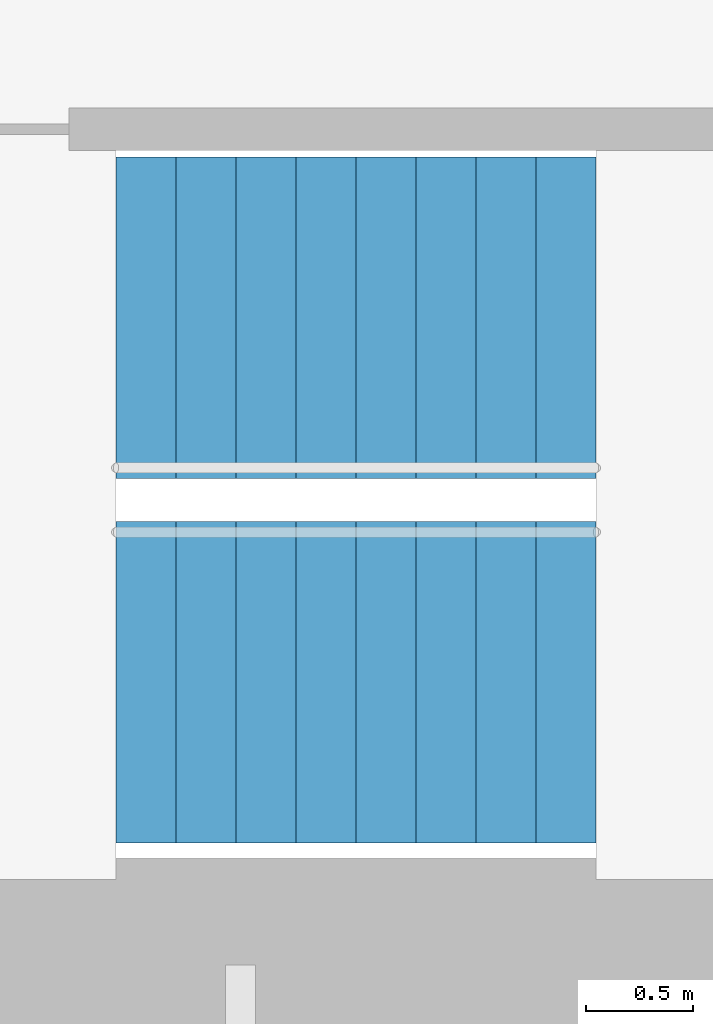
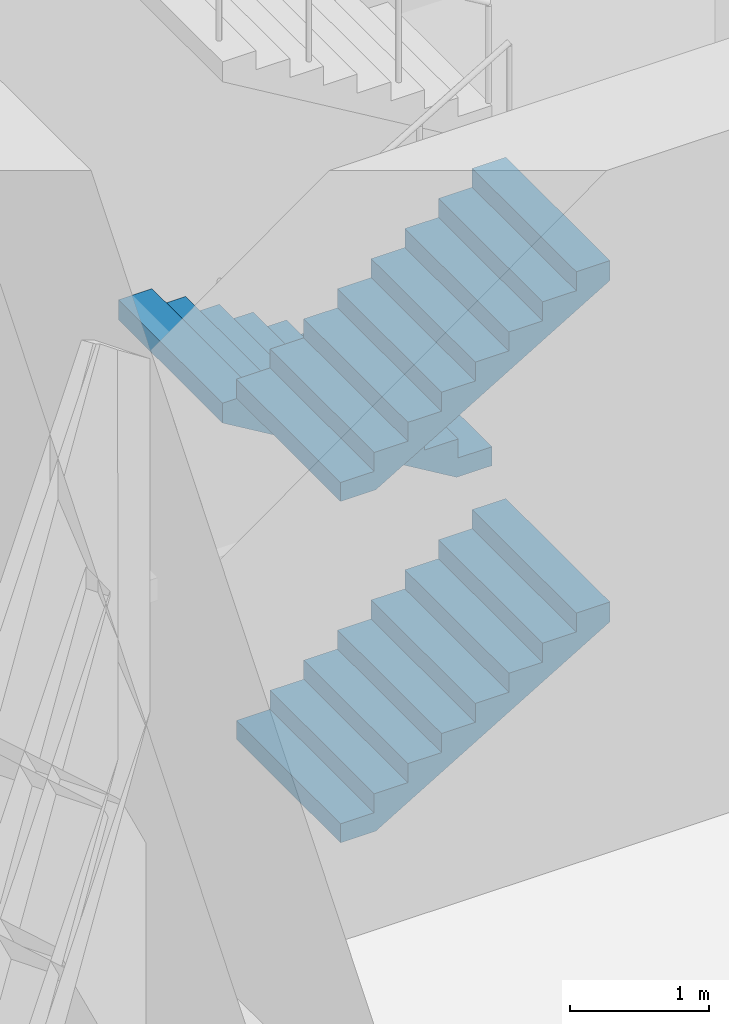
# One storey, part 18 of 21: 3 stair flights, 1 element without a shape of its own.
"""IFC4 building model written with IfcOpenShell, lengths in metres."""

import ifcopenshell
import ifcopenshell.guid

model = None  # the IFC model being written
_history = None  # IfcOwnerHistory: only IFC2X3 demands one
_inside = {}  # id of a spatial element -> (the spatial element, [elements in it])
_under = {}  # id of a project, library or spatial element -> (it, [spatial elements below it])
_declared = {}  # id of a project -> (the project, [libraries it declares])
_typed = {}  # id of a type object -> (the type object, [elements of that type])
_made_of = {}  # id of a material, layer set ... -> (it, [elements and type objects made of it])


def new_model(schema):
    """Start an empty IFC model of exactly this schema.

    Asked for "IFC4X3", IfcOpenShell would pick the latest addendum, in which some entities
    have other attributes; the version numbers below select the first issue.
    IFC2X3 requires an IfcOwnerHistory on every rooted entity: one is made here for all.
    """
    global model, _history
    if schema == "IFC4X3":
        model = ifcopenshell.file(schema_version=(4, 3, 0, 0))
    else:
        model = ifcopenshell.file(schema=schema)
    _inside.clear()
    _under.clear()
    _declared.clear()
    _typed.clear()
    _made_of.clear()
    _history = None
    if model.schema == "IFC2X3":
        org = make("IfcOrganization", Name="unknown")
        user = make(
            "IfcPersonAndOrganization",
            ThePerson=make("IfcPerson", FamilyName="unknown"),
            TheOrganization=org,
        )
        app = make(
            "IfcApplication",
            ApplicationDeveloper=org,
            Version="unknown",
            ApplicationFullName="unknown",
            ApplicationIdentifier="unknown",
        )
        _history = make(
            "IfcOwnerHistory",
            OwningUser=user,
            OwningApplication=app,
            ChangeAction="ADDED",
            CreationDate=0,
        )
    return model


def make(cls, **values):
    """One entity of the class cls with the attributes given. An attribute that is None is left unset."""
    return model.create_entity(
        cls, **{name: value for name, value in values.items() if value is not None}
    )


def rooted(cls, **values):
    """An entity with a GlobalId (a new one), such as an element, a storey or a relation."""
    return make(cls, GlobalId=ifcopenshell.guid.new(), OwnerHistory=_history, **values)


def si_unit(unit_type, name, prefix=None):
    """IfcSIUnit, for example si_unit("LENGTHUNIT", "METRE", prefix="MILLI")."""
    return make("IfcSIUnit", UnitType=unit_type, Prefix=prefix, Name=name)


def assignment(units):
    """IfcUnitAssignment: the units of a project."""
    return None if units is None else make("IfcUnitAssignment", Units=units)


def point(xyz):
    """IfcCartesianPoint."""
    return None if xyz is None else make("IfcCartesianPoint", Coordinates=xyz)


def direction(xyz):
    """IfcDirection."""
    return None if xyz is None else make("IfcDirection", DirectionRatios=xyz)


def frame(location, z_axis=None, x_axis=None):
    """IfcAxis2Placement3D, a coordinate frame: its origin and axes. An axis left out is left unset."""
    return make(
        "IfcAxis2Placement3D",
        Location=point(location),
        Axis=direction(z_axis),
        RefDirection=direction(x_axis),
    )


def origin():
    """The frame at (0, 0, 0) with its axes left unset."""
    return frame((0.0, 0.0, 0.0))


def place(relative_to, where):
    """IfcLocalPlacement: puts the frame where relative to a parent placement (None: the world)."""
    return make(
        "IfcLocalPlacement", PlacementRelTo=relative_to, RelativePlacement=where
    )


def context(
    kind, dimensions, precision=None, world=None, true_north=None, identifier=None
):
    """IfcGeometricRepresentationContext, for example the 3D "Model" context."""
    return make(
        "IfcGeometricRepresentationContext",
        ContextIdentifier=identifier,
        ContextType=kind,
        CoordinateSpaceDimension=dimensions,
        Precision=precision,
        WorldCoordinateSystem=world,
        TrueNorth=true_north,
    )


def subcontext(parent, identifier, kind, view, scale=None):
    """IfcGeometricRepresentationSubContext, for example "Body" below "Model"."""
    return make(
        "IfcGeometricRepresentationSubContext",
        ContextIdentifier=identifier,
        ContextType=kind,
        ParentContext=parent,
        TargetScale=scale,
        TargetView=view,
    )


def project(units=None, contexts=None):
    """IfcProject with its units and contexts."""
    return rooted(
        "IfcProject",
        Name="project",
        RepresentationContexts=contexts,
        UnitsInContext=assignment(units),
    )


def spatial(cls, under=None, at=None, **own):
    """A site, building, storey or space (cls), placed at a placement, below another one or the project."""
    s = rooted(cls, ObjectPlacement=at, **own)
    if under is not None:
        _under.setdefault(under.id(), (under, []))[1].append(s)
    return s


def point_list(points):
    """IfcCartesianPointList2D or 3D."""
    cls = (
        "IfcCartesianPointList2D" if len(points[0]) == 2 else "IfcCartesianPointList3D"
    )
    return make(cls, CoordList=points)


def triangles(points, corners, closed=None, point_numbers=None):
    """IfcTriangulatedFaceSet: each triangle names its three corners, points numbered from 1."""
    return make(
        "IfcTriangulatedFaceSet",
        Coordinates=point_list(points),
        Closed=closed,
        CoordIndex=corners,
        PnIndex=point_numbers,
    )


def shape(context_of_items, identifier, shape_type, items):
    """IfcShapeRepresentation: the items that make up one representation, for example the "Body"."""
    return make(
        "IfcShapeRepresentation",
        ContextOfItems=context_of_items,
        RepresentationIdentifier=identifier,
        RepresentationType=shape_type,
        Items=items,
    )


def material(Name=None, Category=None):
    """IfcMaterial."""
    return make("IfcMaterial", Name=Name, Category=Category)


def made_of(thing, what):
    """Note that an element or type object is made of a material, layer set ...; save() writes the relation."""
    if what is not None:
        _made_of.setdefault(what.id(), (what, []))[1].append(thing)
    return thing


def type_object(cls, material=None, **own):
    """A type object (cls), such as IfcWallType, which elements share."""
    return made_of(rooted(cls, **own), material)


def element(
    cls,
    number,
    at=None,
    inside=None,
    cuts=None,
    type_object=None,
    material=None,
    context=None,
    identifier="Body",
    shape_type=None,
    held_by="IfcProductDefinitionShape",
    body=None,
    shapes=None,
    **own,
):
    """One element of the class cls, such as IfcWall. Its Tag is "e" and its number.

    at: its placement. inside: the storey or other place that contains it. cuts: it is an
    opening in that element (IfcRelVoidsElement). A single representation is given by context,
    identifier, shape_type and body (its items); several are given by shapes. held_by: the class
    of the entity that holds the representations. save() writes the other relations.
    """
    e = rooted(cls, Tag="e%d" % number, ObjectPlacement=at, **own)
    if body is not None:
        shapes = [shape(context, identifier, shape_type, body)]
    if shapes is not None:
        e.Representation = make(held_by, Representations=shapes)
    if inside is not None:
        _inside.setdefault(inside.id(), (inside, []))[1].append(e)
    if cuts is not None:
        rooted(
            "IfcRelVoidsElement", RelatingBuildingElement=cuts, RelatedOpeningElement=e
        )
    if type_object is not None:
        _typed.setdefault(type_object.id(), (type_object, []))[1].append(e)
    return made_of(e, material)


def aggregate(whole, parts):
    """IfcRelAggregates: a whole, such as a stair, and the parts it consists of."""
    return rooted("IfcRelAggregates", RelatingObject=whole, RelatedObjects=parts)


def save(model, path):
    """Write the relations noted so far, then the file.

    IfcRelAggregates (storeys below a building ...), IfcRelContainedInSpatialStructure (elements
    in a storey), IfcRelDefinesByType, IfcRelAssociatesMaterial and IfcRelDeclares: one each for
    every whole, place, type object, material and project.
    """
    for whole, parts in _under.values():
        aggregate(whole, parts)
    for where, things in _inside.values():
        rooted(
            "IfcRelContainedInSpatialStructure",
            RelatedElements=things,
            RelatingStructure=where,
        )
    for kind, things in _typed.values():
        rooted("IfcRelDefinesByType", RelatedObjects=things, RelatingType=kind)
    for what, things in _made_of.values():
        rooted("IfcRelAssociatesMaterial", RelatedObjects=things, RelatingMaterial=what)
    for by, libraries in _declared.values():
        rooted("IfcRelDeclares", RelatingContext=by, RelatedDefinitions=libraries)
    model.write(path)


model = new_model("IFC4")

# Units and contexts
model_context = context("Model", 3, precision=1e-05, world=origin(), true_north=direction((0.0, 1.0)))
body_context = subcontext(model_context, "Body", "Model", "MODEL_VIEW")
ifc_project = project(units=[si_unit("LENGTHUNIT", "METRE"), si_unit("AREAUNIT", "SQUARE_METRE"), si_unit("VOLUMEUNIT", "CUBIC_METRE"), si_unit("PLANEANGLEUNIT", "RADIAN"), si_unit("MASSUNIT", "GRAM", prefix="KILO")], contexts=[model_context])

# Site, building, storey
site_placement = place(None, origin())
site = spatial("IfcSite", under=ifc_project, at=site_placement, CompositionType="ELEMENT")
building_placement = place(site_placement, origin())
building = spatial("IfcBuilding", under=site, at=building_placement, Name="Lantaw Convention Tower", CompositionType="ELEMENT")
storey_placement = place(building_placement, frame((0.0, 0.0, 284.39990234375)))
storey = spatial("IfcBuildingStorey", under=building, at=storey_placement, Name="L66", CompositionType="ELEMENT", Elevation=284.39990234375)

# Stair, stair flights
ifc_material = material(Name="Concrete C35/45", Category="concrete")
stair_type = type_object("IfcStairType", Name="Exit stair 1500 riser 166.67 in 4 flights", PredefinedType="HALF_TURN_STAIR", material=ifc_material)
stair_placement = place(storey_placement, origin())
stair = element("IfcStair", 1, at=stair_placement, inside=storey, type_object=stair_type, Name="Exit stair S1 L66", PredefinedType="HALF_TURN_STAIR")
stair_flight_type = type_object("IfcStairFlightType", Name="Stair flight 1500 riser 166.67", PredefinedType="STRAIGHT", material=ifc_material)
stair_flight_1_placement = place(storey_placement, frame((-10.580078125, -5.97998046875, 0.0), z_axis=(0.0, 0.0, 1.0), x_axis=(1.0, 0.0, 0.0)))
stair_flight_1 = element("IfcStairFlight", 2, at=stair_flight_1_placement, type_object=stair_flight_type, Name="S1 flight 1", NumberOfRisers=9, NumberOfTreads=8, PredefinedType="STRAIGHT", RiserHeight=0.166666667, TreadLength=0.28, context=body_context, shape_type="Tessellation", body=[
    triangles([(0.0, 0.75, 0.0), (0.0, 0.75, 0.166666667), (0.28, 0.75, 0.0), (0.28, 0.75, 0.166666667), (0.28, 0.75, 0.333333334), (0.2930734580690677, 0.75, 0.0), (0.2930734580690677, 0.75, 0.333333334), (0.56, 0.75, 0.1588848467052294), (0.56, 0.75, 0.333333334), (0.56, 0.75, 0.500000001), (0.8400000000000001, 0.75, 0.32555151370522933), (0.8400000000000001, 0.75, 0.500000001), (0.8400000000000001, 0.75, 0.666666668), (1.12, 0.75, 0.4922181807052293), (1.12, 0.75, 0.666666668), (1.12, 0.75, 0.833333335), (1.4000000000000001, 0.75, 0.6588848477052293), (1.4000000000000001, 0.75, 0.833333335), (1.4000000000000001, 0.75, 1.000000002), (1.6800000000000002, 0.75, 0.8255515147052293), (1.6800000000000002, 0.75, 1.000000002), (1.6800000000000002, 0.75, 1.166666669), (1.9600000000000002, 0.75, 0.9922181817052292), (1.9600000000000002, 0.75, 1.166666669), (1.9600000000000002, 0.75, 1.333333336), (2.24, 0.75, 1.1588848487052292), (2.24, 0.75, 1.333333336), (0.0, -0.75, 0.0), (0.0, -0.75, 0.166666667), (0.28, -0.75, 0.0), (0.28, -0.75, 0.166666667), (0.28, -0.75, 0.333333334), (0.2930734580690677, -0.75, 0.0), (0.2930734580690677, -0.75, 0.333333334), (0.56, -0.75, 0.1588848467052294), (0.56, -0.75, 0.333333334), (0.56, -0.75, 0.500000001), (0.8400000000000001, -0.75, 0.32555151370522933), (0.8400000000000001, -0.75, 0.500000001), (0.8400000000000001, -0.75, 0.666666668), (1.12, -0.75, 0.4922181807052293), (1.12, -0.75, 0.666666668), (1.12, -0.75, 0.833333335), (1.4000000000000001, -0.75, 0.6588848477052293), (1.4000000000000001, -0.75, 0.833333335), (1.4000000000000001, -0.75, 1.000000002), (1.6800000000000002, -0.75, 0.8255515147052293), (1.6800000000000002, -0.75, 1.000000002), (1.6800000000000002, -0.75, 1.166666669), (1.9600000000000002, -0.75, 0.9922181817052292), (1.9600000000000002, -0.75, 1.166666669), (1.9600000000000002, -0.75, 1.333333336), (2.24, -0.75, 1.1588848487052292), (2.24, -0.75, 1.333333336), (0.0, 0.15000000000000002, 0.166666667), (0.0, 0.15000000000000002, 0.0), (0.0, 0.0, 0.166666667), (0.0, 0.0, 0.0), (0.0, -0.15000000000000002, 0.166666667), (0.0, -0.15000000000000002, 0.0), (0.28, 0.15000000000000002, 0.333333334), (0.28, 0.15000000000000002, 0.166666667), (0.28, 0.0, 0.333333334), (0.28, 0.0, 0.166666667), (0.28, -0.15000000000000002, 0.333333334), (0.28, -0.15000000000000002, 0.166666667), (0.56, 0.15000000000000002, 0.500000001), (0.56, 0.15000000000000002, 0.333333334), (0.56, 0.0, 0.500000001), (0.56, 0.0, 0.333333334), (0.56, -0.15000000000000002, 0.500000001), (0.56, -0.15000000000000002, 0.333333334), (0.8400000000000001, 0.15000000000000002, 0.666666668), (0.8400000000000001, 0.15000000000000002, 0.500000001), (0.8400000000000001, 0.0, 0.666666668), (0.8400000000000001, 0.0, 0.500000001), (0.8400000000000001, -0.15000000000000002, 0.666666668), (0.8400000000000001, -0.15000000000000002, 0.500000001), (1.12, 0.15000000000000002, 0.833333335), (1.12, 0.15000000000000002, 0.666666668), (1.12, 0.0, 0.833333335), (1.12, 0.0, 0.666666668), (1.12, -0.15000000000000002, 0.833333335), (1.12, -0.15000000000000002, 0.666666668), (1.4000000000000001, 0.15000000000000002, 1.000000002), (1.4000000000000001, 0.15000000000000002, 0.833333335), (1.4000000000000001, 0.0, 1.000000002), (1.4000000000000001, 0.0, 0.833333335), (1.4000000000000001, -0.15000000000000002, 1.000000002), (1.4000000000000001, -0.15000000000000002, 0.833333335), (1.6800000000000002, 0.15000000000000002, 1.166666669), (1.6800000000000002, 0.15000000000000002, 1.000000002), (1.6800000000000002, 0.0, 1.166666669), (1.6800000000000002, 0.0, 1.000000002), (1.6800000000000002, -0.15000000000000002, 1.166666669), (1.6800000000000002, -0.15000000000000002, 1.000000002), (1.9600000000000002, 0.15000000000000002, 1.333333336), (1.9600000000000002, 0.15000000000000002, 1.166666669), (1.9600000000000002, 0.0, 1.333333336), (1.9600000000000002, 0.0, 1.166666669), (1.9600000000000002, -0.15000000000000002, 1.333333336), (1.9600000000000002, -0.15000000000000002, 1.166666669), (0.2930734580690677, 0.15000000000000002, 0.333333334), (0.2930734580690677, 0.0, 0.333333334), (0.2930734580690677, -0.15000000000000002, 0.333333334), (2.24, 0.15000000000000002, 1.333333336), (2.24, 0.0, 1.333333336), (2.24, -0.15000000000000002, 1.333333336), (2.24, 0.15000000000000002, 1.1588848487052292), (2.24, 0.0, 1.1588848487052292), (2.24, -0.15000000000000002, 1.1588848487052292), (1.9600000000000002, 0.15000000000000002, 0.9922181817052292), (1.9600000000000002, 0.0, 0.9922181817052292), (1.9600000000000002, -0.15000000000000002, 0.9922181817052292), (1.6800000000000002, 0.15000000000000002, 0.8255515147052293), (1.6800000000000002, 0.0, 0.8255515147052293), (1.6800000000000002, -0.15000000000000002, 0.8255515147052293), (1.4000000000000001, 0.15000000000000002, 0.6588848477052293), (1.4000000000000001, 0.0, 0.6588848477052293), (1.4000000000000001, -0.15000000000000002, 0.6588848477052293), (1.12, 0.15000000000000002, 0.4922181807052293), (1.12, 0.0, 0.4922181807052293), (1.12, -0.15000000000000002, 0.4922181807052293), (0.8400000000000001, 0.15000000000000002, 0.32555151370522933), (0.8400000000000001, 0.0, 0.32555151370522933), (0.8400000000000001, -0.15000000000000002, 0.32555151370522933), (0.56, 0.15000000000000002, 0.1588848467052294), (0.56, 0.0, 0.1588848467052294), (0.56, -0.15000000000000002, 0.1588848467052294), (0.2930734580690677, 0.15000000000000002, 0.0), (0.2930734580690677, 0.0, 0.0), (0.2930734580690677, -0.15000000000000002, 0.0), (0.28, 0.15000000000000002, 0.0), (0.28, 0.0, 0.0), (0.28, -0.15000000000000002, 0.0)], [[1, 4, 3], [1, 2, 4], [3, 4, 6], [4, 7, 6], [4, 5, 7], [6, 9, 8], [6, 7, 9], [8, 9, 11], [9, 12, 11], [9, 10, 12], [11, 12, 14], [12, 15, 14], [12, 13, 15], [14, 15, 17], [15, 18, 17], [15, 16, 18], [17, 18, 20], [18, 21, 20], [18, 19, 21], [20, 21, 23], [21, 24, 23], [21, 22, 24], [23, 24, 26], [24, 27, 26], [24, 25, 27], [28, 30, 31], [28, 31, 29], [30, 33, 31], [31, 33, 34], [31, 34, 32], [33, 35, 36], [33, 36, 34], [35, 38, 36], [36, 38, 39], [36, 39, 37], [38, 41, 39], [39, 41, 42], [39, 42, 40], [41, 44, 42], [42, 44, 45], [42, 45, 43], [44, 47, 45], [45, 47, 48], [45, 48, 46], [47, 50, 48], [48, 50, 51], [48, 51, 49], [50, 53, 51], [51, 53, 54], [51, 54, 52], [1, 55, 2], [1, 56, 55], [56, 57, 55], [56, 58, 57], [58, 59, 57], [58, 60, 59], [60, 29, 59], [60, 28, 29], [4, 61, 5], [4, 62, 61], [62, 63, 61], [62, 64, 63], [64, 65, 63], [64, 66, 65], [66, 32, 65], [66, 31, 32], [9, 67, 10], [9, 68, 67], [68, 69, 67], [68, 70, 69], [70, 71, 69], [70, 72, 71], [72, 37, 71], [72, 36, 37], [12, 73, 13], [12, 74, 73], [74, 75, 73], [74, 76, 75], [76, 77, 75], [76, 78, 77], [78, 40, 77], [78, 39, 40], [15, 79, 16], [15, 80, 79], [80, 81, 79], [80, 82, 81], [82, 83, 81], [82, 84, 83], [84, 43, 83], [84, 42, 43], [18, 85, 19], [18, 86, 85], [86, 87, 85], [86, 88, 87], [88, 89, 87], [88, 90, 89], [90, 46, 89], [90, 45, 46], [21, 91, 22], [21, 92, 91], [92, 93, 91], [92, 94, 93], [94, 95, 93], [94, 96, 95], [96, 49, 95], [96, 48, 49], [24, 97, 25], [24, 98, 97], [98, 99, 97], [98, 100, 99], [100, 101, 99], [100, 102, 101], [102, 52, 101], [102, 51, 52], [2, 62, 4], [2, 55, 62], [55, 64, 62], [55, 57, 64], [57, 66, 64], [57, 59, 66], [59, 31, 66], [59, 29, 31], [5, 103, 7], [5, 61, 103], [61, 104, 103], [61, 63, 104], [63, 105, 104], [63, 65, 105], [65, 34, 105], [65, 32, 34], [7, 68, 9], [7, 103, 68], [103, 70, 68], [103, 104, 70], [104, 72, 70], [104, 105, 72], [105, 36, 72], [105, 34, 36], [10, 74, 12], [10, 67, 74], [67, 76, 74], [67, 69, 76], [69, 78, 76], [69, 71, 78], [71, 39, 78], [71, 37, 39], [13, 80, 15], [13, 73, 80], [73, 82, 80], [73, 75, 82], [75, 84, 82], [75, 77, 84], [77, 42, 84], [77, 40, 42], [16, 86, 18], [16, 79, 86], [79, 88, 86], [79, 81, 88], [81, 90, 88], [81, 83, 90], [83, 45, 90], [83, 43, 45], [19, 92, 21], [19, 85, 92], [85, 94, 92], [85, 87, 94], [87, 96, 94], [87, 89, 96], [89, 48, 96], [89, 46, 48], [22, 98, 24], [22, 91, 98], [91, 100, 98], [91, 93, 100], [93, 102, 100], [93, 95, 102], [95, 51, 102], [95, 49, 51], [25, 106, 27], [25, 97, 106], [97, 107, 106], [97, 99, 107], [99, 108, 107], [99, 101, 108], [101, 54, 108], [101, 52, 54], [27, 109, 26], [27, 106, 109], [106, 110, 109], [106, 107, 110], [107, 111, 110], [107, 108, 111], [108, 53, 111], [108, 54, 53], [26, 112, 23], [26, 109, 112], [109, 113, 112], [109, 110, 113], [110, 114, 113], [110, 111, 114], [111, 50, 114], [111, 53, 50], [23, 115, 20], [23, 112, 115], [112, 116, 115], [112, 113, 116], [113, 117, 116], [113, 114, 117], [114, 47, 117], [114, 50, 47], [20, 118, 17], [20, 115, 118], [115, 119, 118], [115, 116, 119], [116, 120, 119], [116, 117, 120], [117, 44, 120], [117, 47, 44], [17, 121, 14], [17, 118, 121], [118, 122, 121], [118, 119, 122], [119, 123, 122], [119, 120, 123], [120, 41, 123], [120, 44, 41], [14, 124, 11], [14, 121, 124], [121, 125, 124], [121, 122, 125], [122, 126, 125], [122, 123, 126], [123, 38, 126], [123, 41, 38], [11, 127, 8], [11, 124, 127], [124, 128, 127], [124, 125, 128], [125, 129, 128], [125, 126, 129], [126, 35, 129], [126, 38, 35], [8, 130, 6], [8, 127, 130], [127, 131, 130], [127, 128, 131], [128, 132, 131], [128, 129, 132], [129, 33, 132], [129, 35, 33], [6, 133, 3], [6, 130, 133], [130, 134, 133], [130, 131, 134], [131, 135, 134], [131, 132, 135], [132, 30, 135], [132, 33, 30], [3, 56, 1], [3, 133, 56], [133, 58, 56], [133, 134, 58], [134, 60, 58], [134, 135, 60], [135, 28, 60], [135, 30, 28]], closed=True),
])
stair_flight_2_placement = place(storey_placement, frame((-8.340087890625, -4.280029296875, 1.5), z_axis=(0.0, 0.0, 1.0), x_axis=(-1.0, 0.0, 0.0)))
stair_flight_2 = element("IfcStairFlight", 3, at=stair_flight_2_placement, type_object=stair_flight_type, Name="S1 flight 2", NumberOfRisers=9, NumberOfTreads=8, PredefinedType="STRAIGHT", RiserHeight=0.166666667, TreadLength=0.28, context=body_context, shape_type="Tessellation", body=[
    triangles([(0.0, 0.75, 0.0), (0.0, 0.75, 0.166666667), (0.28, 0.75, 0.0), (0.28, 0.75, 0.166666667), (0.28, 0.75, 0.333333334), (0.2930734580690677, 0.75, 0.0), (0.2930734580690677, 0.75, 0.333333334), (0.56, 0.75, 0.1588848467052294), (0.56, 0.75, 0.333333334), (0.56, 0.75, 0.500000001), (0.8400000000000001, 0.75, 0.32555151370522933), (0.8400000000000001, 0.75, 0.500000001), (0.8400000000000001, 0.75, 0.666666668), (1.12, 0.75, 0.4922181807052293), (1.12, 0.75, 0.666666668), (1.12, 0.75, 0.833333335), (1.4000000000000001, 0.75, 0.6588848477052293), (1.4000000000000001, 0.75, 0.833333335), (1.4000000000000001, 0.75, 1.000000002), (1.6800000000000002, 0.75, 0.8255515147052293), (1.6800000000000002, 0.75, 1.000000002), (1.6800000000000002, 0.75, 1.166666669), (1.9600000000000002, 0.75, 0.9922181817052292), (1.9600000000000002, 0.75, 1.166666669), (1.9600000000000002, 0.75, 1.333333336), (2.24, 0.75, 1.1588848487052292), (2.24, 0.75, 1.333333336), (0.0, -0.75, 0.0), (0.0, -0.75, 0.166666667), (0.28, -0.75, 0.0), (0.28, -0.75, 0.166666667), (0.28, -0.75, 0.333333334), (0.2930734580690677, -0.75, 0.0), (0.2930734580690677, -0.75, 0.333333334), (0.56, -0.75, 0.1588848467052294), (0.56, -0.75, 0.333333334), (0.56, -0.75, 0.500000001), (0.8400000000000001, -0.75, 0.32555151370522933), (0.8400000000000001, -0.75, 0.500000001), (0.8400000000000001, -0.75, 0.666666668), (1.12, -0.75, 0.4922181807052293), (1.12, -0.75, 0.666666668), (1.12, -0.75, 0.833333335), (1.4000000000000001, -0.75, 0.6588848477052293), (1.4000000000000001, -0.75, 0.833333335), (1.4000000000000001, -0.75, 1.000000002), (1.6800000000000002, -0.75, 0.8255515147052293), (1.6800000000000002, -0.75, 1.000000002), (1.6800000000000002, -0.75, 1.166666669), (1.9600000000000002, -0.75, 0.9922181817052292), (1.9600000000000002, -0.75, 1.166666669), (1.9600000000000002, -0.75, 1.333333336), (2.24, -0.75, 1.1588848487052292), (2.24, -0.75, 1.333333336), (0.0, 0.15000000000000002, 0.166666667), (0.0, 0.15000000000000002, 0.0), (0.0, 0.0, 0.166666667), (0.0, 0.0, 0.0), (0.0, -0.15000000000000002, 0.166666667), (0.0, -0.15000000000000002, 0.0), (0.28, 0.15000000000000002, 0.333333334), (0.28, 0.15000000000000002, 0.166666667), (0.28, 0.0, 0.333333334), (0.28, 0.0, 0.166666667), (0.28, -0.15000000000000002, 0.333333334), (0.28, -0.15000000000000002, 0.166666667), (0.56, 0.15000000000000002, 0.500000001), (0.56, 0.15000000000000002, 0.333333334), (0.56, 0.0, 0.500000001), (0.56, 0.0, 0.333333334), (0.56, -0.15000000000000002, 0.500000001), (0.56, -0.15000000000000002, 0.333333334), (0.8400000000000001, 0.15000000000000002, 0.666666668), (0.8400000000000001, 0.15000000000000002, 0.500000001), (0.8400000000000001, 0.0, 0.666666668), (0.8400000000000001, 0.0, 0.500000001), (0.8400000000000001, -0.15000000000000002, 0.666666668), (0.8400000000000001, -0.15000000000000002, 0.500000001), (1.12, 0.15000000000000002, 0.833333335), (1.12, 0.15000000000000002, 0.666666668), (1.12, 0.0, 0.833333335), (1.12, 0.0, 0.666666668), (1.12, -0.15000000000000002, 0.833333335), (1.12, -0.15000000000000002, 0.666666668), (1.4000000000000001, 0.15000000000000002, 1.000000002), (1.4000000000000001, 0.15000000000000002, 0.833333335), (1.4000000000000001, 0.0, 1.000000002), (1.4000000000000001, 0.0, 0.833333335), (1.4000000000000001, -0.15000000000000002, 1.000000002), (1.4000000000000001, -0.15000000000000002, 0.833333335), (1.6800000000000002, 0.15000000000000002, 1.166666669), (1.6800000000000002, 0.15000000000000002, 1.000000002), (1.6800000000000002, 0.0, 1.166666669), (1.6800000000000002, 0.0, 1.000000002), (1.6800000000000002, -0.15000000000000002, 1.166666669), (1.6800000000000002, -0.15000000000000002, 1.000000002), (1.9600000000000002, 0.15000000000000002, 1.333333336), (1.9600000000000002, 0.15000000000000002, 1.166666669), (1.9600000000000002, 0.0, 1.333333336), (1.9600000000000002, 0.0, 1.166666669), (1.9600000000000002, -0.15000000000000002, 1.333333336), (1.9600000000000002, -0.15000000000000002, 1.166666669), (0.2930734580690677, 0.15000000000000002, 0.333333334), (0.2930734580690677, 0.0, 0.333333334), (0.2930734580690677, -0.15000000000000002, 0.333333334), (2.24, 0.15000000000000002, 1.333333336), (2.24, 0.0, 1.333333336), (2.24, -0.15000000000000002, 1.333333336), (2.24, 0.15000000000000002, 1.1588848487052292), (2.24, 0.0, 1.1588848487052292), (2.24, -0.15000000000000002, 1.1588848487052292), (1.9600000000000002, 0.15000000000000002, 0.9922181817052292), (1.9600000000000002, 0.0, 0.9922181817052292), (1.9600000000000002, -0.15000000000000002, 0.9922181817052292), (1.6800000000000002, 0.15000000000000002, 0.8255515147052293), (1.6800000000000002, 0.0, 0.8255515147052293), (1.6800000000000002, -0.15000000000000002, 0.8255515147052293), (1.4000000000000001, 0.15000000000000002, 0.6588848477052293), (1.4000000000000001, 0.0, 0.6588848477052293), (1.4000000000000001, -0.15000000000000002, 0.6588848477052293), (1.12, 0.15000000000000002, 0.4922181807052293), (1.12, 0.0, 0.4922181807052293), (1.12, -0.15000000000000002, 0.4922181807052293), (0.8400000000000001, 0.15000000000000002, 0.32555151370522933), (0.8400000000000001, 0.0, 0.32555151370522933), (0.8400000000000001, -0.15000000000000002, 0.32555151370522933), (0.56, 0.15000000000000002, 0.1588848467052294), (0.56, 0.0, 0.1588848467052294), (0.56, -0.15000000000000002, 0.1588848467052294), (0.2930734580690677, 0.15000000000000002, 0.0), (0.2930734580690677, 0.0, 0.0), (0.2930734580690677, -0.15000000000000002, 0.0), (0.28, 0.15000000000000002, 0.0), (0.28, 0.0, 0.0), (0.28, -0.15000000000000002, 0.0)], [[1, 4, 3], [1, 2, 4], [3, 4, 6], [4, 7, 6], [4, 5, 7], [6, 9, 8], [6, 7, 9], [8, 9, 11], [9, 12, 11], [9, 10, 12], [11, 12, 14], [12, 15, 14], [12, 13, 15], [14, 15, 17], [15, 18, 17], [15, 16, 18], [17, 18, 20], [18, 21, 20], [18, 19, 21], [20, 21, 23], [21, 24, 23], [21, 22, 24], [23, 24, 26], [24, 27, 26], [24, 25, 27], [28, 30, 31], [28, 31, 29], [30, 33, 31], [31, 33, 34], [31, 34, 32], [33, 35, 36], [33, 36, 34], [35, 38, 36], [36, 38, 39], [36, 39, 37], [38, 41, 39], [39, 41, 42], [39, 42, 40], [41, 44, 42], [42, 44, 45], [42, 45, 43], [44, 47, 45], [45, 47, 48], [45, 48, 46], [47, 50, 48], [48, 50, 51], [48, 51, 49], [50, 53, 51], [51, 53, 54], [51, 54, 52], [1, 55, 2], [1, 56, 55], [56, 57, 55], [56, 58, 57], [58, 59, 57], [58, 60, 59], [60, 29, 59], [60, 28, 29], [4, 61, 5], [4, 62, 61], [62, 63, 61], [62, 64, 63], [64, 65, 63], [64, 66, 65], [66, 32, 65], [66, 31, 32], [9, 67, 10], [9, 68, 67], [68, 69, 67], [68, 70, 69], [70, 71, 69], [70, 72, 71], [72, 37, 71], [72, 36, 37], [12, 73, 13], [12, 74, 73], [74, 75, 73], [74, 76, 75], [76, 77, 75], [76, 78, 77], [78, 40, 77], [78, 39, 40], [15, 79, 16], [15, 80, 79], [80, 81, 79], [80, 82, 81], [82, 83, 81], [82, 84, 83], [84, 43, 83], [84, 42, 43], [18, 85, 19], [18, 86, 85], [86, 87, 85], [86, 88, 87], [88, 89, 87], [88, 90, 89], [90, 46, 89], [90, 45, 46], [21, 91, 22], [21, 92, 91], [92, 93, 91], [92, 94, 93], [94, 95, 93], [94, 96, 95], [96, 49, 95], [96, 48, 49], [24, 97, 25], [24, 98, 97], [98, 99, 97], [98, 100, 99], [100, 101, 99], [100, 102, 101], [102, 52, 101], [102, 51, 52], [2, 62, 4], [2, 55, 62], [55, 64, 62], [55, 57, 64], [57, 66, 64], [57, 59, 66], [59, 31, 66], [59, 29, 31], [5, 103, 7], [5, 61, 103], [61, 104, 103], [61, 63, 104], [63, 105, 104], [63, 65, 105], [65, 34, 105], [65, 32, 34], [7, 68, 9], [7, 103, 68], [103, 70, 68], [103, 104, 70], [104, 72, 70], [104, 105, 72], [105, 36, 72], [105, 34, 36], [10, 74, 12], [10, 67, 74], [67, 76, 74], [67, 69, 76], [69, 78, 76], [69, 71, 78], [71, 39, 78], [71, 37, 39], [13, 80, 15], [13, 73, 80], [73, 82, 80], [73, 75, 82], [75, 84, 82], [75, 77, 84], [77, 42, 84], [77, 40, 42], [16, 86, 18], [16, 79, 86], [79, 88, 86], [79, 81, 88], [81, 90, 88], [81, 83, 90], [83, 45, 90], [83, 43, 45], [19, 92, 21], [19, 85, 92], [85, 94, 92], [85, 87, 94], [87, 96, 94], [87, 89, 96], [89, 48, 96], [89, 46, 48], [22, 98, 24], [22, 91, 98], [91, 100, 98], [91, 93, 100], [93, 102, 100], [93, 95, 102], [95, 51, 102], [95, 49, 51], [25, 106, 27], [25, 97, 106], [97, 107, 106], [97, 99, 107], [99, 108, 107], [99, 101, 108], [101, 54, 108], [101, 52, 54], [27, 109, 26], [27, 106, 109], [106, 110, 109], [106, 107, 110], [107, 111, 110], [107, 108, 111], [108, 53, 111], [108, 54, 53], [26, 112, 23], [26, 109, 112], [109, 113, 112], [109, 110, 113], [110, 114, 113], [110, 111, 114], [111, 50, 114], [111, 53, 50], [23, 115, 20], [23, 112, 115], [112, 116, 115], [112, 113, 116], [113, 117, 116], [113, 114, 117], [114, 47, 117], [114, 50, 47], [20, 118, 17], [20, 115, 118], [115, 119, 118], [115, 116, 119], [116, 120, 119], [116, 117, 120], [117, 44, 120], [117, 47, 44], [17, 121, 14], [17, 118, 121], [118, 122, 121], [118, 119, 122], [119, 123, 122], [119, 120, 123], [120, 41, 123], [120, 44, 41], [14, 124, 11], [14, 121, 124], [121, 125, 124], [121, 122, 125], [122, 126, 125], [122, 123, 126], [123, 38, 126], [123, 41, 38], [11, 127, 8], [11, 124, 127], [124, 128, 127], [124, 125, 128], [125, 129, 128], [125, 126, 129], [126, 35, 129], [126, 38, 35], [8, 130, 6], [8, 127, 130], [127, 131, 130], [127, 128, 131], [128, 132, 131], [128, 129, 132], [129, 33, 132], [129, 35, 33], [6, 133, 3], [6, 130, 133], [130, 134, 133], [130, 131, 134], [131, 135, 134], [131, 132, 135], [132, 30, 135], [132, 33, 30], [3, 56, 1], [3, 133, 56], [133, 58, 56], [133, 134, 58], [134, 60, 58], [134, 135, 60], [135, 28, 60], [135, 30, 28]], closed=True),
])
stair_flight_3_placement = place(storey_placement, frame((-10.580078125, -5.97998046875, 3.0), z_axis=(0.0, 0.0, 1.0), x_axis=(1.0, 0.0, 0.0)))
stair_flight_3 = element("IfcStairFlight", 4, at=stair_flight_3_placement, type_object=stair_flight_type, Name="S1 flight 3", NumberOfRisers=9, NumberOfTreads=8, PredefinedType="STRAIGHT", RiserHeight=0.166666667, TreadLength=0.28, context=body_context, shape_type="Tessellation", body=[
    triangles([(0.0, 0.75, 0.0), (0.0, 0.75, 0.166666667), (0.28, 0.75, 0.0), (0.28, 0.75, 0.166666667), (0.28, 0.75, 0.333333334), (0.2930734580690677, 0.75, 0.0), (0.2930734580690677, 0.75, 0.333333334), (0.56, 0.75, 0.1588848467052294), (0.56, 0.75, 0.333333334), (0.56, 0.75, 0.500000001), (0.8400000000000001, 0.75, 0.32555151370522933), (0.8400000000000001, 0.75, 0.500000001), (0.8400000000000001, 0.75, 0.666666668), (1.12, 0.75, 0.4922181807052293), (1.12, 0.75, 0.666666668), (1.12, 0.75, 0.833333335), (1.4000000000000001, 0.75, 0.6588848477052293), (1.4000000000000001, 0.75, 0.833333335), (1.4000000000000001, 0.75, 1.000000002), (1.6800000000000002, 0.75, 0.8255515147052293), (1.6800000000000002, 0.75, 1.000000002), (1.6800000000000002, 0.75, 1.166666669), (1.9600000000000002, 0.75, 0.9922181817052292), (1.9600000000000002, 0.75, 1.166666669), (1.9600000000000002, 0.75, 1.333333336), (2.24, 0.75, 1.1588848487052292), (2.24, 0.75, 1.333333336), (0.0, -0.75, 0.0), (0.0, -0.75, 0.166666667), (0.28, -0.75, 0.0), (0.28, -0.75, 0.166666667), (0.28, -0.75, 0.333333334), (0.2930734580690677, -0.75, 0.0), (0.2930734580690677, -0.75, 0.333333334), (0.56, -0.75, 0.1588848467052294), (0.56, -0.75, 0.333333334), (0.56, -0.75, 0.500000001), (0.8400000000000001, -0.75, 0.32555151370522933), (0.8400000000000001, -0.75, 0.500000001), (0.8400000000000001, -0.75, 0.666666668), (1.12, -0.75, 0.4922181807052293), (1.12, -0.75, 0.666666668), (1.12, -0.75, 0.833333335), (1.4000000000000001, -0.75, 0.6588848477052293), (1.4000000000000001, -0.75, 0.833333335), (1.4000000000000001, -0.75, 1.000000002), (1.6800000000000002, -0.75, 0.8255515147052293), (1.6800000000000002, -0.75, 1.000000002), (1.6800000000000002, -0.75, 1.166666669), (1.9600000000000002, -0.75, 0.9922181817052292), (1.9600000000000002, -0.75, 1.166666669), (1.9600000000000002, -0.75, 1.333333336), (2.24, -0.75, 1.1588848487052292), (2.24, -0.75, 1.333333336), (0.0, 0.15000000000000002, 0.166666667), (0.0, 0.15000000000000002, 0.0), (0.0, 0.0, 0.166666667), (0.0, 0.0, 0.0), (0.0, -0.15000000000000002, 0.166666667), (0.0, -0.15000000000000002, 0.0), (0.28, 0.15000000000000002, 0.333333334), (0.28, 0.15000000000000002, 0.166666667), (0.28, 0.0, 0.333333334), (0.28, 0.0, 0.166666667), (0.28, -0.15000000000000002, 0.333333334), (0.28, -0.15000000000000002, 0.166666667), (0.56, 0.15000000000000002, 0.500000001), (0.56, 0.15000000000000002, 0.333333334), (0.56, 0.0, 0.500000001), (0.56, 0.0, 0.333333334), (0.56, -0.15000000000000002, 0.500000001), (0.56, -0.15000000000000002, 0.333333334), (0.8400000000000001, 0.15000000000000002, 0.666666668), (0.8400000000000001, 0.15000000000000002, 0.500000001), (0.8400000000000001, 0.0, 0.666666668), (0.8400000000000001, 0.0, 0.500000001), (0.8400000000000001, -0.15000000000000002, 0.666666668), (0.8400000000000001, -0.15000000000000002, 0.500000001), (1.12, 0.15000000000000002, 0.833333335), (1.12, 0.15000000000000002, 0.666666668), (1.12, 0.0, 0.833333335), (1.12, 0.0, 0.666666668), (1.12, -0.15000000000000002, 0.833333335), (1.12, -0.15000000000000002, 0.666666668), (1.4000000000000001, 0.15000000000000002, 1.000000002), (1.4000000000000001, 0.15000000000000002, 0.833333335), (1.4000000000000001, 0.0, 1.000000002), (1.4000000000000001, 0.0, 0.833333335), (1.4000000000000001, -0.15000000000000002, 1.000000002), (1.4000000000000001, -0.15000000000000002, 0.833333335), (1.6800000000000002, 0.15000000000000002, 1.166666669), (1.6800000000000002, 0.15000000000000002, 1.000000002), (1.6800000000000002, 0.0, 1.166666669), (1.6800000000000002, 0.0, 1.000000002), (1.6800000000000002, -0.15000000000000002, 1.166666669), (1.6800000000000002, -0.15000000000000002, 1.000000002), (1.9600000000000002, 0.15000000000000002, 1.333333336), (1.9600000000000002, 0.15000000000000002, 1.166666669), (1.9600000000000002, 0.0, 1.333333336), (1.9600000000000002, 0.0, 1.166666669), (1.9600000000000002, -0.15000000000000002, 1.333333336), (1.9600000000000002, -0.15000000000000002, 1.166666669), (0.2930734580690677, 0.15000000000000002, 0.333333334), (0.2930734580690677, 0.0, 0.333333334), (0.2930734580690677, -0.15000000000000002, 0.333333334), (2.24, 0.15000000000000002, 1.333333336), (2.24, 0.0, 1.333333336), (2.24, -0.15000000000000002, 1.333333336), (2.24, 0.15000000000000002, 1.1588848487052292), (2.24, 0.0, 1.1588848487052292), (2.24, -0.15000000000000002, 1.1588848487052292), (1.9600000000000002, 0.15000000000000002, 0.9922181817052292), (1.9600000000000002, 0.0, 0.9922181817052292), (1.9600000000000002, -0.15000000000000002, 0.9922181817052292), (1.6800000000000002, 0.15000000000000002, 0.8255515147052293), (1.6800000000000002, 0.0, 0.8255515147052293), (1.6800000000000002, -0.15000000000000002, 0.8255515147052293), (1.4000000000000001, 0.15000000000000002, 0.6588848477052293), (1.4000000000000001, 0.0, 0.6588848477052293), (1.4000000000000001, -0.15000000000000002, 0.6588848477052293), (1.12, 0.15000000000000002, 0.4922181807052293), (1.12, 0.0, 0.4922181807052293), (1.12, -0.15000000000000002, 0.4922181807052293), (0.8400000000000001, 0.15000000000000002, 0.32555151370522933), (0.8400000000000001, 0.0, 0.32555151370522933), (0.8400000000000001, -0.15000000000000002, 0.32555151370522933), (0.56, 0.15000000000000002, 0.1588848467052294), (0.56, 0.0, 0.1588848467052294), (0.56, -0.15000000000000002, 0.1588848467052294), (0.2930734580690677, 0.15000000000000002, 0.0), (0.2930734580690677, 0.0, 0.0), (0.2930734580690677, -0.15000000000000002, 0.0), (0.28, 0.15000000000000002, 0.0), (0.28, 0.0, 0.0), (0.28, -0.15000000000000002, 0.0)], [[1, 4, 3], [1, 2, 4], [3, 4, 6], [4, 7, 6], [4, 5, 7], [6, 9, 8], [6, 7, 9], [8, 9, 11], [9, 12, 11], [9, 10, 12], [11, 12, 14], [12, 15, 14], [12, 13, 15], [14, 15, 17], [15, 18, 17], [15, 16, 18], [17, 18, 20], [18, 21, 20], [18, 19, 21], [20, 21, 23], [21, 24, 23], [21, 22, 24], [23, 24, 26], [24, 27, 26], [24, 25, 27], [28, 30, 31], [28, 31, 29], [30, 33, 31], [31, 33, 34], [31, 34, 32], [33, 35, 36], [33, 36, 34], [35, 38, 36], [36, 38, 39], [36, 39, 37], [38, 41, 39], [39, 41, 42], [39, 42, 40], [41, 44, 42], [42, 44, 45], [42, 45, 43], [44, 47, 45], [45, 47, 48], [45, 48, 46], [47, 50, 48], [48, 50, 51], [48, 51, 49], [50, 53, 51], [51, 53, 54], [51, 54, 52], [1, 55, 2], [1, 56, 55], [56, 57, 55], [56, 58, 57], [58, 59, 57], [58, 60, 59], [60, 29, 59], [60, 28, 29], [4, 61, 5], [4, 62, 61], [62, 63, 61], [62, 64, 63], [64, 65, 63], [64, 66, 65], [66, 32, 65], [66, 31, 32], [9, 67, 10], [9, 68, 67], [68, 69, 67], [68, 70, 69], [70, 71, 69], [70, 72, 71], [72, 37, 71], [72, 36, 37], [12, 73, 13], [12, 74, 73], [74, 75, 73], [74, 76, 75], [76, 77, 75], [76, 78, 77], [78, 40, 77], [78, 39, 40], [15, 79, 16], [15, 80, 79], [80, 81, 79], [80, 82, 81], [82, 83, 81], [82, 84, 83], [84, 43, 83], [84, 42, 43], [18, 85, 19], [18, 86, 85], [86, 87, 85], [86, 88, 87], [88, 89, 87], [88, 90, 89], [90, 46, 89], [90, 45, 46], [21, 91, 22], [21, 92, 91], [92, 93, 91], [92, 94, 93], [94, 95, 93], [94, 96, 95], [96, 49, 95], [96, 48, 49], [24, 97, 25], [24, 98, 97], [98, 99, 97], [98, 100, 99], [100, 101, 99], [100, 102, 101], [102, 52, 101], [102, 51, 52], [2, 62, 4], [2, 55, 62], [55, 64, 62], [55, 57, 64], [57, 66, 64], [57, 59, 66], [59, 31, 66], [59, 29, 31], [5, 103, 7], [5, 61, 103], [61, 104, 103], [61, 63, 104], [63, 105, 104], [63, 65, 105], [65, 34, 105], [65, 32, 34], [7, 68, 9], [7, 103, 68], [103, 70, 68], [103, 104, 70], [104, 72, 70], [104, 105, 72], [105, 36, 72], [105, 34, 36], [10, 74, 12], [10, 67, 74], [67, 76, 74], [67, 69, 76], [69, 78, 76], [69, 71, 78], [71, 39, 78], [71, 37, 39], [13, 80, 15], [13, 73, 80], [73, 82, 80], [73, 75, 82], [75, 84, 82], [75, 77, 84], [77, 42, 84], [77, 40, 42], [16, 86, 18], [16, 79, 86], [79, 88, 86], [79, 81, 88], [81, 90, 88], [81, 83, 90], [83, 45, 90], [83, 43, 45], [19, 92, 21], [19, 85, 92], [85, 94, 92], [85, 87, 94], [87, 96, 94], [87, 89, 96], [89, 48, 96], [89, 46, 48], [22, 98, 24], [22, 91, 98], [91, 100, 98], [91, 93, 100], [93, 102, 100], [93, 95, 102], [95, 51, 102], [95, 49, 51], [25, 106, 27], [25, 97, 106], [97, 107, 106], [97, 99, 107], [99, 108, 107], [99, 101, 108], [101, 54, 108], [101, 52, 54], [27, 109, 26], [27, 106, 109], [106, 110, 109], [106, 107, 110], [107, 111, 110], [107, 108, 111], [108, 53, 111], [108, 54, 53], [26, 112, 23], [26, 109, 112], [109, 113, 112], [109, 110, 113], [110, 114, 113], [110, 111, 114], [111, 50, 114], [111, 53, 50], [23, 115, 20], [23, 112, 115], [112, 116, 115], [112, 113, 116], [113, 117, 116], [113, 114, 117], [114, 47, 117], [114, 50, 47], [20, 118, 17], [20, 115, 118], [115, 119, 118], [115, 116, 119], [116, 120, 119], [116, 117, 120], [117, 44, 120], [117, 47, 44], [17, 121, 14], [17, 118, 121], [118, 122, 121], [118, 119, 122], [119, 123, 122], [119, 120, 123], [120, 41, 123], [120, 44, 41], [14, 124, 11], [14, 121, 124], [121, 125, 124], [121, 122, 125], [122, 126, 125], [122, 123, 126], [123, 38, 126], [123, 41, 38], [11, 127, 8], [11, 124, 127], [124, 128, 127], [124, 125, 128], [125, 129, 128], [125, 126, 129], [126, 35, 129], [126, 38, 35], [8, 130, 6], [8, 127, 130], [127, 131, 130], [127, 128, 131], [128, 132, 131], [128, 129, 132], [129, 33, 132], [129, 35, 33], [6, 133, 3], [6, 130, 133], [130, 134, 133], [130, 131, 134], [131, 135, 134], [131, 132, 135], [132, 30, 135], [132, 33, 30], [3, 56, 1], [3, 133, 56], [133, 58, 56], [133, 134, 58], [134, 60, 58], [134, 135, 60], [135, 28, 60], [135, 30, 28]], closed=True),
])
aggregate(stair, [stair_flight_1, stair_flight_2, stair_flight_3])

save(model, "model.ifc")
